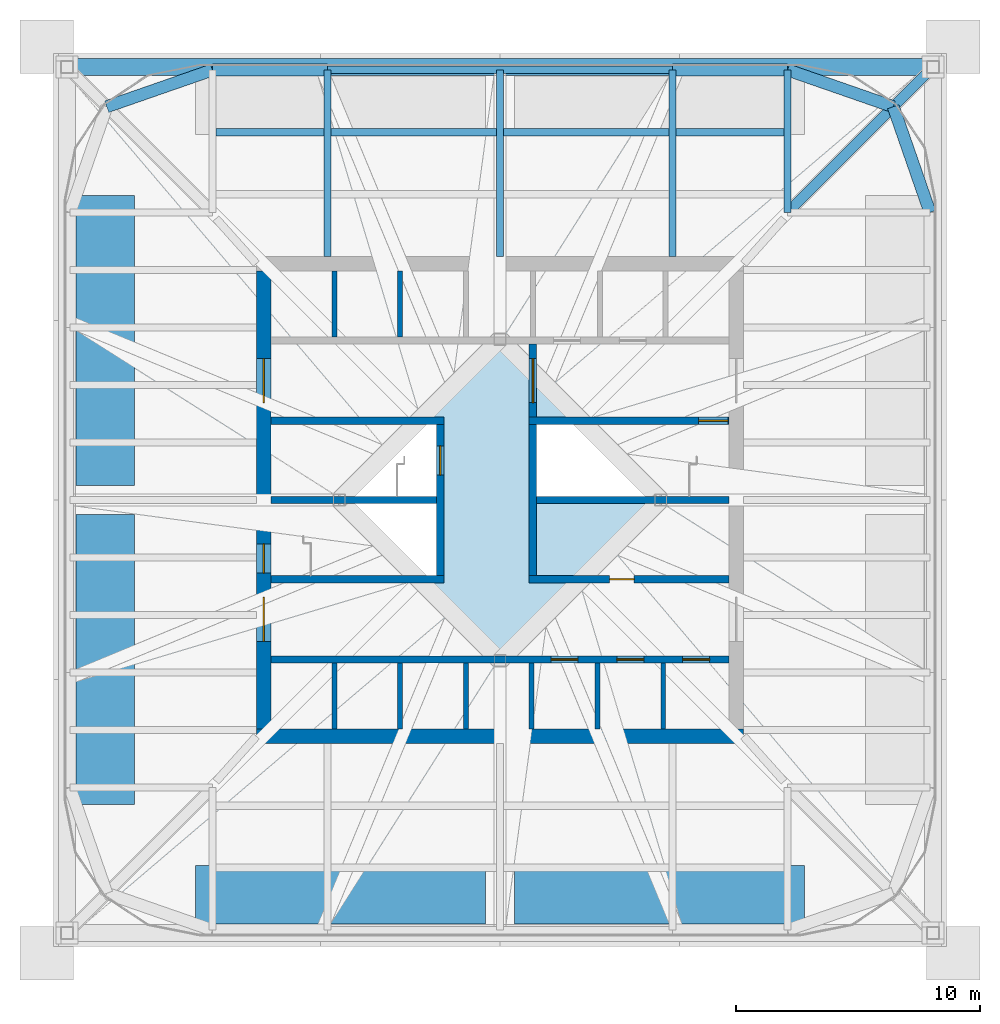
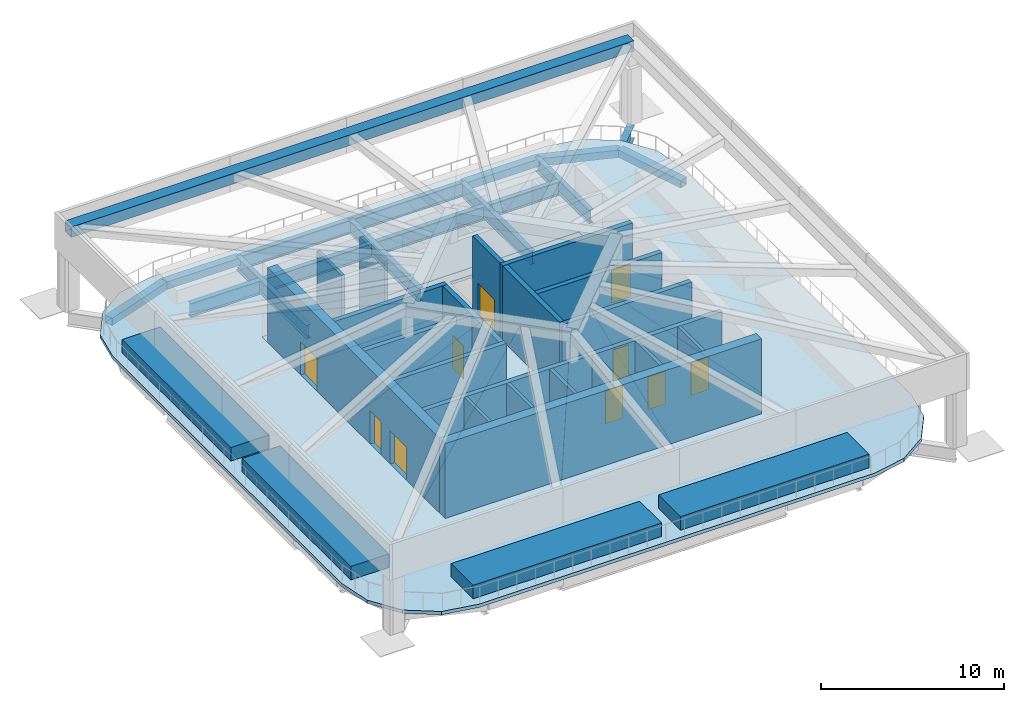
# One storey, part 2 of 7: 23 walls, 15 beams, 10 doors, 2 slabs, 1 member, 10 openings.
"""IFC4 building model written with IfcOpenShell, lengths in metres."""

import ifcopenshell
import ifcopenshell.guid

model = None  # the IFC model being written
_history = None  # IfcOwnerHistory: only IFC2X3 demands one
_inside = {}  # id of a spatial element -> (the spatial element, [elements in it])
_under = {}  # id of a project, library or spatial element -> (it, [spatial elements below it])
_declared = {}  # id of a project -> (the project, [libraries it declares])
_typed = {}  # id of a type object -> (the type object, [elements of that type])
_made_of = {}  # id of a material, layer set ... -> (it, [elements and type objects made of it])


def new_model(schema):
    """Start an empty IFC model of exactly this schema.

    Asked for "IFC4X3", IfcOpenShell would pick the latest addendum, in which some entities
    have other attributes; the version numbers below select the first issue.
    IFC2X3 requires an IfcOwnerHistory on every rooted entity: one is made here for all.
    """
    global model, _history
    if schema == "IFC4X3":
        model = ifcopenshell.file(schema_version=(4, 3, 0, 0))
    else:
        model = ifcopenshell.file(schema=schema)
    _inside.clear()
    _under.clear()
    _declared.clear()
    _typed.clear()
    _made_of.clear()
    _history = None
    if model.schema == "IFC2X3":
        org = make("IfcOrganization", Name="unknown")
        user = make(
            "IfcPersonAndOrganization",
            ThePerson=make("IfcPerson", FamilyName="unknown"),
            TheOrganization=org,
        )
        app = make(
            "IfcApplication",
            ApplicationDeveloper=org,
            Version="unknown",
            ApplicationFullName="unknown",
            ApplicationIdentifier="unknown",
        )
        _history = make(
            "IfcOwnerHistory",
            OwningUser=user,
            OwningApplication=app,
            ChangeAction="ADDED",
            CreationDate=0,
        )
    return model


def make(cls, **values):
    """One entity of the class cls with the attributes given. An attribute that is None is left unset."""
    return model.create_entity(
        cls, **{name: value for name, value in values.items() if value is not None}
    )


def rooted(cls, **values):
    """An entity with a GlobalId (a new one), such as an element, a storey or a relation."""
    return make(cls, GlobalId=ifcopenshell.guid.new(), OwnerHistory=_history, **values)


def si_unit(unit_type, name, prefix=None):
    """IfcSIUnit, for example si_unit("LENGTHUNIT", "METRE", prefix="MILLI")."""
    return make("IfcSIUnit", UnitType=unit_type, Prefix=prefix, Name=name)


def assignment(units):
    """IfcUnitAssignment: the units of a project."""
    return None if units is None else make("IfcUnitAssignment", Units=units)


def point(xyz):
    """IfcCartesianPoint."""
    return None if xyz is None else make("IfcCartesianPoint", Coordinates=xyz)


def direction(xyz):
    """IfcDirection."""
    return None if xyz is None else make("IfcDirection", DirectionRatios=xyz)


def frame(location, z_axis=None, x_axis=None):
    """IfcAxis2Placement3D, a coordinate frame: its origin and axes. An axis left out is left unset."""
    return make(
        "IfcAxis2Placement3D",
        Location=point(location),
        Axis=direction(z_axis),
        RefDirection=direction(x_axis),
    )


def frame_2d(location, x_axis=None):
    """IfcAxis2Placement2D, a coordinate frame in the plane: its origin and x axis."""
    return make(
        "IfcAxis2Placement2D", Location=point(location), RefDirection=direction(x_axis)
    )


def origin():
    """The frame at (0, 0, 0) with its axes left unset."""
    return frame((0.0, 0.0, 0.0))


def origin_2d():
    """The frame at (0, 0) in the plane with its x axis left unset."""
    return frame_2d((0.0, 0.0))


def place(relative_to, where):
    """IfcLocalPlacement: puts the frame where relative to a parent placement (None: the world)."""
    return make(
        "IfcLocalPlacement", PlacementRelTo=relative_to, RelativePlacement=where
    )


def context(
    kind, dimensions, precision=None, world=None, true_north=None, identifier=None
):
    """IfcGeometricRepresentationContext, for example the 3D "Model" context."""
    return make(
        "IfcGeometricRepresentationContext",
        ContextIdentifier=identifier,
        ContextType=kind,
        CoordinateSpaceDimension=dimensions,
        Precision=precision,
        WorldCoordinateSystem=world,
        TrueNorth=true_north,
    )


def subcontext(parent, identifier, kind, view, scale=None):
    """IfcGeometricRepresentationSubContext, for example "Body" below "Model"."""
    return make(
        "IfcGeometricRepresentationSubContext",
        ContextIdentifier=identifier,
        ContextType=kind,
        ParentContext=parent,
        TargetScale=scale,
        TargetView=view,
    )


def project(units=None, contexts=None):
    """IfcProject with its units and contexts."""
    return rooted(
        "IfcProject",
        Name="project",
        RepresentationContexts=contexts,
        UnitsInContext=assignment(units),
    )


def spatial(cls, under=None, at=None, **own):
    """A site, building, storey or space (cls), placed at a placement, below another one or the project."""
    s = rooted(cls, ObjectPlacement=at, **own)
    if under is not None:
        _under.setdefault(under.id(), (under, []))[1].append(s)
    return s


def polyline(points):
    """IfcPolyline through the points."""
    return make("IfcPolyline", Points=[point(p) for p in points])


def profile(cls, at=None, kind="AREA", **sizes):
    """A parametric profile (cls). Its sizes go by their IFC names, for example OverallWidth=200.0."""
    return make(cls, ProfileType=kind, Position=at, **sizes)


def rectangle(**sizes):
    """IfcRectangleProfileDef."""
    return profile("IfcRectangleProfileDef", **sizes)


def hollow_rectangle(**sizes):
    """IfcRectangleHollowProfileDef."""
    return profile("IfcRectangleHollowProfileDef", **sizes)


def i_section(**sizes):
    """IfcIShapeProfileDef."""
    return profile("IfcIShapeProfileDef", **sizes)


def outline(outer, holes=None, kind="AREA"):
    """IfcArbitraryClosedProfileDef: a profile drawn as a closed curve; with holes, ...WithVoids."""
    if holes is None:
        return make("IfcArbitraryClosedProfileDef", ProfileType=kind, OuterCurve=outer)
    return make(
        "IfcArbitraryProfileDefWithVoids",
        ProfileType=kind,
        OuterCurve=outer,
        InnerCurves=holes,
    )


def extrude(swept, where, along, depth):
    """IfcExtrudedAreaSolid: the profile swept, set in the frame where, extruded along a direction by depth."""
    return make(
        "IfcExtrudedAreaSolid",
        SweptArea=swept,
        Position=where,
        ExtrudedDirection=direction(along),
        Depth=depth,
    )


def shape(context_of_items, identifier, shape_type, items):
    """IfcShapeRepresentation: the items that make up one representation, for example the "Body"."""
    return make(
        "IfcShapeRepresentation",
        ContextOfItems=context_of_items,
        RepresentationIdentifier=identifier,
        RepresentationType=shape_type,
        Items=items,
    )


def material(Name=None, Category=None):
    """IfcMaterial."""
    return make("IfcMaterial", Name=Name, Category=Category)


def layer(
    of_material, thickness, ventilated=None, Name=None, Category=None, Priority=None
):
    """IfcMaterialLayer: one layer of a wall or slab, of a material (None: an air gap)."""
    return make(
        "IfcMaterialLayer",
        Material=of_material,
        LayerThickness=thickness,
        IsVentilated=ventilated,
        Name=Name,
        Category=Category,
        Priority=Priority,
    )


def layer_set(layers, Name=None):
    """IfcMaterialLayerSet."""
    return make("IfcMaterialLayerSet", MaterialLayers=layers, LayerSetName=Name)


def material_profile(
    of_material, cross_section, Name=None, Category=None, Priority=None
):
    """IfcMaterialProfile: a cross section and its material."""
    return make(
        "IfcMaterialProfile",
        Name=Name,
        Material=of_material,
        Profile=cross_section,
        Priority=Priority,
        Category=Category,
    )


def profile_set(profiles, Name=None, composite=None):
    """IfcMaterialProfileSet."""
    return make(
        "IfcMaterialProfileSet",
        Name=Name,
        MaterialProfiles=profiles,
        CompositeProfile=composite,
    )


def made_of(thing, what):
    """Note that an element or type object is made of a material, layer set ...; save() writes the relation."""
    if what is not None:
        _made_of.setdefault(what.id(), (what, []))[1].append(thing)
    return thing


def type_object(cls, material=None, **own):
    """A type object (cls), such as IfcWallType, which elements share."""
    return made_of(rooted(cls, **own), material)


def element(
    cls,
    number,
    at=None,
    inside=None,
    cuts=None,
    type_object=None,
    material=None,
    context=None,
    identifier="Body",
    shape_type=None,
    held_by="IfcProductDefinitionShape",
    body=None,
    shapes=None,
    **own,
):
    """One element of the class cls, such as IfcWall. Its Tag is "e" and its number.

    at: its placement. inside: the storey or other place that contains it. cuts: it is an
    opening in that element (IfcRelVoidsElement). A single representation is given by context,
    identifier, shape_type and body (its items); several are given by shapes. held_by: the class
    of the entity that holds the representations. save() writes the other relations.
    """
    e = rooted(cls, Tag="e%d" % number, ObjectPlacement=at, **own)
    if body is not None:
        shapes = [shape(context, identifier, shape_type, body)]
    if shapes is not None:
        e.Representation = make(held_by, Representations=shapes)
    if inside is not None:
        _inside.setdefault(inside.id(), (inside, []))[1].append(e)
    if cuts is not None:
        rooted(
            "IfcRelVoidsElement", RelatingBuildingElement=cuts, RelatedOpeningElement=e
        )
    if type_object is not None:
        _typed.setdefault(type_object.id(), (type_object, []))[1].append(e)
    return made_of(e, material)


def fill(opening, filler):
    """IfcRelFillsElement: the door or window that sits in an opening."""
    return rooted(
        "IfcRelFillsElement",
        RelatingOpeningElement=opening,
        RelatedBuildingElement=filler,
    )


def aggregate(whole, parts):
    """IfcRelAggregates: a whole, such as a stair, and the parts it consists of."""
    return rooted("IfcRelAggregates", RelatingObject=whole, RelatedObjects=parts)


def save(model, path):
    """Write the relations noted so far, then the file.

    IfcRelAggregates (storeys below a building ...), IfcRelContainedInSpatialStructure (elements
    in a storey), IfcRelDefinesByType, IfcRelAssociatesMaterial and IfcRelDeclares: one each for
    every whole, place, type object, material and project.
    """
    for whole, parts in _under.values():
        aggregate(whole, parts)
    for where, things in _inside.values():
        rooted(
            "IfcRelContainedInSpatialStructure",
            RelatedElements=things,
            RelatingStructure=where,
        )
    for kind, things in _typed.values():
        rooted("IfcRelDefinesByType", RelatedObjects=things, RelatingType=kind)
    for what, things in _made_of.values():
        rooted("IfcRelAssociatesMaterial", RelatedObjects=things, RelatingMaterial=what)
    for by, libraries in _declared.values():
        rooted("IfcRelDeclares", RelatingContext=by, RelatedDefinitions=libraries)
    model.write(path)


model = new_model("IFC4")

# Units and contexts
model_context = context("Model", 3, precision=1e-05, world=origin(), true_north=direction((0.0, 1.0)))
body_context = subcontext(model_context, "Body", "Model", "MODEL_VIEW")
ifc_project = project(units=[si_unit("LENGTHUNIT", "METRE"), si_unit("AREAUNIT", "SQUARE_METRE"), si_unit("VOLUMEUNIT", "CUBIC_METRE"), si_unit("PLANEANGLEUNIT", "RADIAN"), si_unit("MASSUNIT", "GRAM", prefix="KILO")], contexts=[model_context])

# Site, building, storey
site_placement = place(None, origin())
site = spatial("IfcSite", under=ifc_project, at=site_placement, CompositionType="ELEMENT")
building_placement = place(site_placement, origin())
building = spatial("IfcBuilding", under=site, at=building_placement, Name="Turquesa Mirador Hotel Tower", CompositionType="ELEMENT")
storey_placement = place(building_placement, frame((0.0, 0.0, 272.199951171875)))
storey = spatial("IfcBuildingStorey", under=building, at=storey_placement, Name="RF", CompositionType="ELEMENT", Elevation=272.199951171875)

# Beams
ifc_material_1 = material(Name="Steel ASTM A572 Grade 50", Category="steel")
ifc_material_profile_1 = material_profile(ifc_material_1, hollow_rectangle(XDim=0.5, YDim=0.5, WallThickness=0.01611328125, at=origin_2d()), Name="BOX500X500X16")
ifc_profile_set_1 = profile_set([ifc_material_profile_1], Name="Steel ASTM A572 Grade 50")
beam_type_1 = type_object("IfcBeamType", Name="BEAM BOX500X500X16", PredefinedType="BEAM", material=ifc_profile_set_1)
for number, where, z_axis, x_axis, name in (
    (1, (43.199951171875, 62.64990234375, -0.469970703125), (1.0, 0.0, 0.0), (0.0, 1.0, 0.0), "EB-RF-N-L"),
    (2, (62.080078125, 62.64990234375, -0.469970703125), (1.0, 0.0, 0.0), (0.0, 1.0, 0.0), "EB-RF-N-R"),
):
    element("IfcBeam", number, at=place(storey_placement, frame(where, z_axis=z_axis, x_axis=x_axis)), inside=storey, type_object=beam_type_1, Name=name, PredefinedType="BEAM", context=body_context, shape_type="SweptSolid", body=[
        extrude(hollow_rectangle(XDim=0.5, YDim=0.5, WallThickness=0.01611328125, at=origin_2d()), origin(), (0.0, 0.0, 1.0), 4.719970703125),
    ])
for number, where, z_axis, x_axis, name in (
    (3, (72.64990234375, 56.800048828125, -0.469970703125), (-0.328170356092, 0.944618556552, 0.0), (-0.944618556552, -0.328170356092, 0.0), "KE-RF-1-0"),
    (4, (71.1416015625, 61.1416015625, -0.469970703125), (-0.944618556552, 0.328170356092, 0.0), (-0.328170356092, -0.944618556552, 0.0), "KE-RF-1-1"),
    (5, (38.8583984375, 61.1416015625, -0.469970703125), (0.944618556552, 0.328170356092, 0.0), (-0.328170356092, 0.944618556552, 0.0), "KE-RF-2-1"),
):
    element("IfcBeam", number, at=place(storey_placement, frame(where, z_axis=z_axis, x_axis=x_axis)), inside=storey, type_object=beam_type_1, Name=name, PredefinedType="BEAM", context=body_context, shape_type="SweptSolid", body=[
        extrude(hollow_rectangle(XDim=0.5, YDim=0.5, WallThickness=0.01611328125, at=origin_2d()), origin(), (0.0, 0.0, 1.0), 4.59619140625),
    ])
ifc_material_2 = material(Name="Steel ASTM A992 Grade 50", Category="steel")
ifc_material_profile_2 = material_profile(ifc_material_2, i_section(OverallWidth=0.3046875, OverallDepth=0.911865234375, WebThickness=0.015869140625, FlangeThickness=0.02392578125, at=origin_2d()), Name="W36X150")
ifc_profile_set_2 = profile_set([ifc_material_profile_2], Name="Steel ASTM A992 Grade 50")
beam_type_2 = type_object("IfcBeamType", Name="BEAM W36X150", PredefinedType="BEAM", material=ifc_profile_set_2)
for number, where, z_axis, x_axis, name in (
    (6, (47.919921875, 62.64990234375, -0.67578125), (0.0, -1.0, 0.0), (1.0, 0.0, 0.0), "GD-RF-N--7.08"),
    (7, (62.080078125, 62.64990234375, -0.67578125), (0.0, -1.0, 0.0), (1.0, 0.0, 0.0), "GD-RF-N-+7.08"),
    (8, (55.0, 62.64990234375, -0.67578125), (0.0, -1.0, 0.0), (1.0, 0.0, 0.0), "GD-RF-N-+0.00"),
):
    element("IfcBeam", number, at=place(storey_placement, frame(where, z_axis=z_axis, x_axis=x_axis)), inside=storey, type_object=beam_type_2, Name=name, PredefinedType="BEAM", context=body_context, shape_type="SweptSolid", body=[
        extrude(i_section(OverallWidth=0.3046875, OverallDepth=0.911865234375, WebThickness=0.015869140625, FlangeThickness=0.02392578125, at=origin_2d()), origin(), (0.0, 0.0, 1.0), 7.64990234375),
    ])
beam_1_placement = place(storey_placement, frame((43.352294921875, 60.10009765625, -0.67578125), z_axis=(1.0, 0.0, 0.0), x_axis=(0.0, 1.0, 0.0)))
element("IfcBeam", 9, at=beam_1_placement, inside=storey, type_object=beam_type_2, Name="IB-RF-N-2-0", PredefinedType="BEAM", context=body_context, shape_type="SweptSolid", body=[
    extrude(i_section(OverallWidth=0.3046875, OverallDepth=0.911865234375, WebThickness=0.015869140625, FlangeThickness=0.02392578125, at=origin_2d()), origin(), (0.0, 0.0, 1.0), 4.415283203125),
])
for number, where, z_axis, x_axis, name in (
    (10, (48.072509765625, 60.10009765625, -0.67578125), (1.0, 0.0, 0.0), (0.0, 1.0, 0.0), "IB-RF-N-2-1"),
    (11, (55.15234375, 60.10009765625, -0.67578125), (1.0, 0.0, 0.0), (0.0, 1.0, 0.0), "IB-RF-N-2-2"),
):
    element("IfcBeam", number, at=place(storey_placement, frame(where, z_axis=z_axis, x_axis=x_axis)), inside=storey, type_object=beam_type_2, Name=name, PredefinedType="BEAM", context=body_context, shape_type="SweptSolid", body=[
        extrude(i_section(OverallWidth=0.3046875, OverallDepth=0.911865234375, WebThickness=0.015869140625, FlangeThickness=0.02392578125, at=origin_2d()), origin(), (0.0, 0.0, 1.0), 6.775146484375),
    ])
beam_2_placement = place(storey_placement, frame((62.232421875, 60.10009765625, -0.67578125), z_axis=(1.0, 0.0, 0.0), x_axis=(0.0, 1.0, 0.0)))
element("IfcBeam", 12, at=beam_2_placement, inside=storey, type_object=beam_type_2, Name="IB-RF-N-2-3", PredefinedType="BEAM", context=body_context, shape_type="SweptSolid", body=[
    extrude(i_section(OverallWidth=0.3046875, OverallDepth=0.911865234375, WebThickness=0.015869140625, FlangeThickness=0.02392578125, at=origin_2d()), origin(), (0.0, 0.0, 1.0), 4.415283203125),
])
beam_3_placement = place(storey_placement, frame((66.800048828125, 62.64990234375, -0.67578125), z_axis=(0.0, -1.0, 0.0), x_axis=(1.0, 0.0, 0.0)))
element("IfcBeam", 13, at=beam_3_placement, inside=storey, type_object=beam_type_2, Name="GK-RF-N-+11.80", PredefinedType="BEAM", context=body_context, shape_type="SweptSolid", body=[
    extrude(i_section(OverallWidth=0.3046875, OverallDepth=0.911865234375, WebThickness=0.015869140625, FlangeThickness=0.02392578125, at=origin_2d()), origin(), (0.0, 0.0, 1.0), 5.849853515625),
])
beam_4_placement = place(storey_placement, frame((47.919921875, 62.64990234375, -0.67578125), z_axis=(1.0, 0.0, 0.0), x_axis=(0.0, 1.0, 0.0)))
element("IfcBeam", 14, at=beam_4_placement, inside=storey, type_object=beam_type_2, Name="EB-RF-N-C", PredefinedType="BEAM", context=body_context, shape_type="SweptSolid", body=[
    extrude(i_section(OverallWidth=0.3046875, OverallDepth=0.911865234375, WebThickness=0.015869140625, FlangeThickness=0.02392578125, at=origin_2d()), origin(), (0.0, 0.0, 1.0), 14.16015625),
])
ifc_material_3 = material(Name="Steel ASTM A992 Grade 50", Category="steel")
ifc_material_profile_3 = material_profile(ifc_material_3, i_section(OverallWidth=0.419189453125, OverallDepth=0.927001953125, WebThickness=0.019287109375, FlangeThickness=0.031982421875, at=origin_2d()), Name="W36X231")
ifc_profile_set_3 = profile_set([ifc_material_profile_3], Name="Steel ASTM A992 Grade 50")
beam_type_3 = type_object("IfcBeamType", Name="BEAM W36X231", PredefinedType="BEAM", material=ifc_profile_set_3)
beam_5_placement = place(storey_placement, frame((66.800048828125, 56.800048828125, -0.68359375), z_axis=(0.707106781187, 0.707106781187, 0.0), x_axis=(-0.707106781187, 0.707106781187, 0.0)))
element("IfcBeam", 15, at=beam_5_placement, inside=storey, type_object=beam_type_3, Name="KD-RF-1", PredefinedType="BEAM", context=body_context, shape_type="SweptSolid", body=[
    extrude(i_section(OverallWidth=0.419189453125, OverallDepth=0.927001953125, WebThickness=0.019287109375, FlangeThickness=0.031982421875, at=origin_2d()), origin(), (0.0, 0.0, 1.0), 8.46240234375),
])

# Member
ifc_material_4 = material(Name="Steel ASTM A572 Grade 50", Category="steel")
ifc_material_profile_4 = material_profile(ifc_material_4, hollow_rectangle(XDim=0.699951171875, YDim=0.699951171875, WallThickness=0.06005859375, at=origin_2d()), Name="BOX700X700X60")
ifc_profile_set_4 = profile_set([ifc_material_profile_4], Name="Steel ASTM A572 Grade 50")
member_type = type_object("IfcMemberType", Name="CANOPY EDGE GIRDER BOX700X700X60", PredefinedType="MEMBER", material=ifc_profile_set_4)
member_placement = place(storey_placement, frame((72.77001953125, 62.77001953125, 5.199951171875), z_axis=(-1.0, 0.0, 0.0), x_axis=(0.0, -1.0, 0.0)))
element("IfcMember", 16, at=member_placement, inside=storey, type_object=member_type, Name="Canopy edge rib", PredefinedType="MEMBER", context=body_context, shape_type="SweptSolid", body=[
    extrude(hollow_rectangle(XDim=0.699951171875, YDim=0.699951171875, WallThickness=0.06005859375, at=origin_2d()), origin(), (0.0, 0.0, 1.0), 35.5400390625),
])

# Slabs
ifc_material_5 = material(Name="Concrete C35/45", Category="concrete")
ifc_layer_1 = layer(ifc_material_5, 0.219970703125)
ifc_layer_set_1 = layer_set([ifc_layer_1], Name="HEAD-HOUSE FLOOR SLAB 220")
slab_type_1 = type_object("IfcSlabType", Name="HEAD-HOUSE FLOOR SLAB 220", PredefinedType="FLOOR", material=ifc_layer_set_1)
slab_1_placement = place(storey_placement, frame((0.0, 0.0, -0.219970703125)))
element("IfcSlab", 17, at=slab_1_placement, inside=storey, type_object=slab_type_1, Name="Head-house floor", PredefinedType="FLOOR", context=body_context, shape_type="SweptSolid", body=[
    extrude(outline(polyline([(45.0, 35.0), (65.0, 35.0), (65.0, 55.0), (45.0, 55.0), (45.0, 35.0)]), holes=[polyline([(56.5, 51.699951171875), (59.0, 51.699951171875), (59.0, 54.39990234375), (56.5, 54.39990234375), (56.5, 51.699951171875)]), polyline([(59.199951171875, 51.699951171875), (61.699951171875, 51.699951171875), (61.699951171875, 54.39990234375), (59.199951171875, 54.39990234375), (59.199951171875, 51.699951171875)]), polyline([(56.39990234375, 35.60009765625), (58.89990234375, 35.60009765625), (58.89990234375, 38.300048828125), (56.39990234375, 38.300048828125), (56.39990234375, 35.60009765625)]), polyline([(59.10009765625, 35.60009765625), (61.60009765625, 35.60009765625), (61.60009765625, 38.300048828125), (59.10009765625, 38.300048828125), (59.10009765625, 35.60009765625)]), polyline([(61.800048828125, 35.60009765625), (64.300048828125, 35.60009765625), (64.300048828125, 38.300048828125), (61.800048828125, 38.300048828125), (61.800048828125, 35.60009765625)]), polyline([(45.60009765625, 45.14990234375), (52.39990234375, 45.14990234375), (52.39990234375, 48.10009765625), (45.60009765625, 48.10009765625), (45.60009765625, 45.14990234375)]), polyline([(45.60009765625, 41.89990234375), (52.39990234375, 41.89990234375), (52.39990234375, 44.85009765625), (45.60009765625, 44.85009765625), (45.60009765625, 41.89990234375)]), polyline([(56.5, 45.14990234375), (64.39990234375, 45.14990234375), (64.39990234375, 48.10009765625), (56.5, 48.10009765625), (56.5, 45.14990234375)]), polyline([(61.89990234375, 51.699951171875), (64.39990234375, 51.699951171875), (64.39990234375, 54.39990234375), (61.89990234375, 54.39990234375), (61.89990234375, 51.699951171875)])]), origin(), (0.0, 0.0, 1.0), 0.219970703125),
])
ifc_material_6 = material(Name="Concrete C35/45 with stone paving", Category="masonry")
ifc_layer_2 = layer(ifc_material_6, 0.219970703125)
ifc_layer_set_2 = layer_set([ifc_layer_2], Name="TERRACE SLAB 220")
slab_type_2 = type_object("IfcSlabType", Name="TERRACE SLAB 220", PredefinedType="ROOF", material=ifc_layer_set_2)
slab_2_placement = place(storey_placement, frame((0.0, 0.0, -0.219970703125)))
element("IfcSlab", 18, at=slab_2_placement, inside=storey, type_object=slab_type_2, Name="Sky garden terrace", PredefinedType="ROOF", context=body_context, shape_type="SweptSolid", body=[
    extrude(outline(polyline([(42.5, 27.0), (40.395263671875, 27.418701171875), (38.61083984375, 28.61083984375), (37.418701171875, 30.395263671875), (37.0, 32.5), (37.0, 57.5), (37.418701171875, 59.604736328125), (38.61083984375, 61.38916015625), (40.395263671875, 62.581298828125), (42.5, 63.0), (67.5, 63.0), (69.604736328125, 62.581298828125), (71.38916015625, 61.38916015625), (72.581298828125, 59.604736328125), (73.0, 57.5), (73.0, 32.5), (72.581298828125, 30.395263671875), (71.38916015625, 28.61083984375), (69.604736328125, 27.418701171875), (67.5, 27.0), (42.5, 27.0)]), holes=[polyline([(65.0, 55.0), (45.0, 55.0), (45.0, 35.0), (65.0, 35.0), (65.0, 55.0)])]), origin(), (0.0, 0.0, 1.0), 0.219970703125),
])

# Wall, openings, doors
ifc_material_7 = material(Name="Concrete C50/60", Category="concrete")
ifc_layer_3 = layer(ifc_material_7, 0.300048828125)
ifc_layer_set_3 = layer_set([ifc_layer_3], Name="CORE INNER WALL 300")
wall_type_1 = type_object("IfcWallType", Name="CORE INNER WALL 300", PredefinedType="SHEAR", material=ifc_layer_set_3)
wall_1_placement = place(storey_placement, frame((45.60009765625, 38.449951171875, 0.0), z_axis=(0.0, 0.0, 1.0), x_axis=(1.0, 0.0, 0.0)))
wall_1 = element("IfcWall", 19, at=wall_1_placement, inside=storey, type_object=wall_type_1, Name="Core wall SL", PredefinedType="SHEAR", context=body_context, shape_type="SweptSolid", body=[
    extrude(rectangle(XDim=18.7998046875, YDim=0.300048828125, at=frame_2d((9.39990234375, 0.0))), origin(), (0.0, 0.0, 1.0), 5.0),
])
opening_1_placement = place(wall_1_placement, frame((11.5, 0.0, 0.0)))
opening_1 = element("IfcOpeningElement", 20, at=opening_1_placement, cuts=wall_1, Name="Opening LD", PredefinedType="OPENING", context=body_context, shape_type="SweptSolid", body=[
    extrude(rectangle(XDim=1.10009765625, YDim=2.199951171875, at=frame_2d((0.550048828125, 1.10009765625))), frame((0.0, 0.159912109375, 0.0), z_axis=(0.0, -1.0, 0.0), x_axis=(1.0, 0.0, 0.0)), (0.0, 0.0, 1.0), 0.320068359375),
])
opening_2_placement = place(wall_1_placement, frame((14.199951171875, 0.0, 0.0)))
opening_2 = element("IfcOpeningElement", 21, at=opening_2_placement, cuts=wall_1, Name="Opening LD", PredefinedType="OPENING", context=body_context, shape_type="SweptSolid", body=[
    extrude(rectangle(XDim=1.10009765625, YDim=2.199951171875, at=frame_2d((0.550048828125, 1.10009765625))), frame((0.0, 0.159912109375, 0.0), z_axis=(0.0, -1.0, 0.0), x_axis=(1.0, 0.0, 0.0)), (0.0, 0.0, 1.0), 0.320068359375),
])
opening_3_placement = place(wall_1_placement, frame((16.89990234375, 0.0, 0.0)))
opening_3 = element("IfcOpeningElement", 22, at=opening_3_placement, cuts=wall_1, Name="Opening LD", PredefinedType="OPENING", context=body_context, shape_type="SweptSolid", body=[
    extrude(rectangle(XDim=1.10009765625, YDim=2.199951171875, at=frame_2d((0.550048828125, 1.10009765625))), frame((0.0, 0.159912109375, 0.0), z_axis=(0.0, -1.0, 0.0), x_axis=(1.0, 0.0, 0.0)), (0.0, 0.0, 1.0), 0.320068359375),
])
ifc_material_8 = material(Name="Stainless steel lift landing door", Category="steel")
door_type_1 = type_object("IfcDoorType", Name="LIFT LANDING DOOR 1100X2200", OperationType="SLIDING_TO_LEFT", PredefinedType="DOOR", material=ifc_material_8)
door_1_placement = place(opening_1_placement, origin())
door_1 = element("IfcDoor", 23, at=door_1_placement, inside=storey, type_object=door_type_1, Name="Lift X1 landing door", OperationType="SLIDING_TO_LEFT", OverallHeight=2.199951171875, OverallWidth=1.10009765625, PredefinedType="DOOR", context=body_context, shape_type="SweptSolid", body=[
    extrude(rectangle(XDim=1.10009765625, YDim=2.199951171875, at=frame_2d((0.550048828125, 1.10009765625))), frame((0.0, 0.02490234375, 0.0), z_axis=(0.0, -1.0, 0.0), x_axis=(1.0, 0.0, 0.0)), (0.0, 0.0, 1.0), 0.050048828125),
])
fill(opening_1, door_1)
door_2_placement = place(opening_2_placement, origin())
door_2 = element("IfcDoor", 24, at=door_2_placement, inside=storey, type_object=door_type_1, Name="Lift X2 landing door", OperationType="SLIDING_TO_LEFT", OverallHeight=2.199951171875, OverallWidth=1.10009765625, PredefinedType="DOOR", context=body_context, shape_type="SweptSolid", body=[
    extrude(rectangle(XDim=1.10009765625, YDim=2.199951171875, at=frame_2d((0.550048828125, 1.10009765625))), frame((0.0, 0.02490234375, 0.0), z_axis=(0.0, -1.0, 0.0), x_axis=(1.0, 0.0, 0.0)), (0.0, 0.0, 1.0), 0.050048828125),
])
fill(opening_2, door_2)
door_3_placement = place(opening_3_placement, origin())
door_3 = element("IfcDoor", 25, at=door_3_placement, inside=storey, type_object=door_type_1, Name="Lift X3 landing door", OperationType="SLIDING_TO_LEFT", OverallHeight=2.199951171875, OverallWidth=1.10009765625, PredefinedType="DOOR", context=body_context, shape_type="SweptSolid", body=[
    extrude(rectangle(XDim=1.10009765625, YDim=2.199951171875, at=frame_2d((0.550048828125, 1.10009765625))), frame((0.0, 0.02490234375, 0.0), z_axis=(0.0, -1.0, 0.0), x_axis=(1.0, 0.0, 0.0)), (0.0, 0.0, 1.0), 0.050048828125),
])
fill(opening_3, door_3)

# Wall
wall_2_placement = place(storey_placement, frame((45.60009765625, 48.25, 0.0), z_axis=(0.0, 0.0, 1.0), x_axis=(1.0, 0.0, 0.0)))
element("IfcWall", 26, at=wall_2_placement, inside=storey, type_object=wall_type_1, Name="Core wall MN-W", PredefinedType="SHEAR", context=body_context, shape_type="SweptSolid", body=[
    extrude(rectangle(XDim=7.099853515625, YDim=0.300048828125, at=frame_2d((3.5498046875, 0.0))), origin(), (0.0, 0.0, 1.0), 5.0),
])

# Wall, opening, door
wall_3_placement = place(storey_placement, frame((56.199951171875, 48.25, 0.0), z_axis=(0.0, 0.0, 1.0), x_axis=(1.0, 0.0, 0.0)))
wall_3 = element("IfcWall", 27, at=wall_3_placement, inside=storey, type_object=wall_type_1, Name="Core wall MN-E", PredefinedType="SHEAR", context=body_context, shape_type="SweptSolid", body=[
    extrude(rectangle(XDim=8.199951171875, YDim=0.300048828125, at=frame_2d((4.10009765625, 0.0))), origin(), (0.0, 0.0, 1.0), 5.0),
])
opening_4_placement = place(wall_3_placement, frame((6.949951171875, 0.0, 0.0)))
opening_4 = element("IfcOpeningElement", 28, at=opening_4_placement, cuts=wall_3, Name="Opening D03", PredefinedType="OPENING", context=body_context, shape_type="SweptSolid", body=[
    extrude(rectangle(XDim=1.199951171875, YDim=2.199951171875, at=frame_2d((0.60009765625, 1.10009765625))), frame((0.0, 0.159912109375, 0.0), z_axis=(0.0, -1.0, 0.0), x_axis=(1.0, 0.0, 0.0)), (0.0, 0.0, 1.0), 0.320068359375),
])
ifc_material_9 = material(Name="Steel fire door", Category="steel")
door_type_2 = type_object("IfcDoorType", Name="DOOR 1200X2200 STAIR", OperationType="SINGLE_SWING_LEFT", PredefinedType="DOOR", material=ifc_material_9)
door_4_placement = place(opening_4_placement, origin())
door_4 = element("IfcDoor", 29, at=door_4_placement, inside=storey, type_object=door_type_2, Name="Stair ST3 door", OperationType="SINGLE_SWING_LEFT", OverallHeight=2.199951171875, OverallWidth=1.199951171875, PredefinedType="DOOR", context=body_context, shape_type="SweptSolid", body=[
    extrude(rectangle(XDim=1.199951171875, YDim=2.199951171875, at=frame_2d((0.60009765625, 1.10009765625))), frame((0.0, 0.02490234375, 0.0), z_axis=(0.0, -1.0, 0.0), x_axis=(1.0, 0.0, 0.0)), (0.0, 0.0, 1.0), 0.050048828125),
])
fill(opening_4, door_4)

# Wall
wall_4_placement = place(storey_placement, frame((45.60009765625, 41.75, 0.0), z_axis=(0.0, 0.0, 1.0), x_axis=(1.0, 0.0, 0.0)))
element("IfcWall", 30, at=wall_4_placement, inside=storey, type_object=wall_type_1, Name="Core wall MS-W", PredefinedType="SHEAR", context=body_context, shape_type="SweptSolid", body=[
    extrude(rectangle(XDim=7.099853515625, YDim=0.300048828125, at=frame_2d((3.5498046875, 0.0))), origin(), (0.0, 0.0, 1.0), 5.0),
])

# Wall, opening, door
wall_5_placement = place(storey_placement, frame((56.199951171875, 41.75, 0.0), z_axis=(0.0, 0.0, 1.0), x_axis=(1.0, 0.0, 0.0)))
wall_5 = element("IfcWall", 31, at=wall_5_placement, inside=storey, type_object=wall_type_1, Name="Core wall MS-E", PredefinedType="SHEAR", context=body_context, shape_type="SweptSolid", body=[
    extrude(rectangle(XDim=8.199951171875, YDim=0.300048828125, at=frame_2d((4.10009765625, 0.0))), origin(), (0.0, 0.0, 1.0), 5.0),
])
opening_5_placement = place(wall_5_placement, frame((3.300048828125, 0.0, 0.0)))
opening_5 = element("IfcOpeningElement", 32, at=opening_5_placement, cuts=wall_5, Name="Opening D05", PredefinedType="OPENING", context=body_context, shape_type="SweptSolid", body=[
    extrude(rectangle(XDim=1.0, YDim=2.10009765625, at=frame_2d((0.5, 1.050048828125))), frame((0.0, 0.159912109375, 0.0), z_axis=(0.0, -1.0, 0.0), x_axis=(1.0, 0.0, 0.0)), (0.0, 0.0, 1.0), 0.320068359375),
])
ifc_material_10 = material(Name="Steel fire door", Category="steel")
door_type_3 = type_object("IfcDoorType", Name="DOOR 1000X2100 SERVICE", OperationType="SINGLE_SWING_LEFT", PredefinedType="DOOR", material=ifc_material_10)
door_5_placement = place(opening_5_placement, origin())
door_5 = element("IfcDoor", 33, at=door_5_placement, inside=storey, type_object=door_type_3, Name="Housekeeping room door", OperationType="SINGLE_SWING_LEFT", OverallHeight=2.10009765625, OverallWidth=1.0, PredefinedType="DOOR", context=body_context, shape_type="SweptSolid", body=[
    extrude(rectangle(XDim=1.0, YDim=2.10009765625, at=frame_2d((0.5, 1.050048828125))), frame((0.0, 0.02490234375, 0.0), z_axis=(0.0, -1.0, 0.0), x_axis=(1.0, 0.0, 0.0)), (0.0, 0.0, 1.0), 0.050048828125),
])
fill(opening_5, door_5)

wall_6_placement = place(storey_placement, frame((52.550048828125, 41.89990234375, 0.0), z_axis=(0.0, 0.0, 1.0), x_axis=(0.0, 1.0, 0.0)))
wall_6 = element("IfcWall", 34, at=wall_6_placement, inside=storey, type_object=wall_type_1, Name="Core wall PW", PredefinedType="SHEAR", context=body_context, shape_type="SweptSolid", body=[
    extrude(rectangle(XDim=6.2001953125, YDim=0.300048828125, at=frame_2d((3.10009765625, 0.0))), origin(), (0.0, 0.0, 1.0), 5.0),
])
opening_6_placement = place(wall_6_placement, frame((4.125, 0.0, 0.0)))
opening_6 = element("IfcOpeningElement", 35, at=opening_6_placement, cuts=wall_6, Name="Opening D03", PredefinedType="OPENING", context=body_context, shape_type="SweptSolid", body=[
    extrude(rectangle(XDim=1.199951171875, YDim=2.199951171875, at=frame_2d((0.60009765625, 1.10009765625))), frame((0.0, 0.159912109375, 0.0), z_axis=(0.0, -1.0, 0.0), x_axis=(1.0, 0.0, 0.0)), (0.0, 0.0, 1.0), 0.320068359375),
])
door_6_placement = place(opening_6_placement, origin())
door_6 = element("IfcDoor", 36, at=door_6_placement, inside=storey, type_object=door_type_2, Name="Stair ST1 door", OperationType="SINGLE_SWING_LEFT", OverallHeight=2.199951171875, OverallWidth=1.199951171875, PredefinedType="DOOR", context=body_context, shape_type="SweptSolid", body=[
    extrude(rectangle(XDim=1.199951171875, YDim=2.199951171875, at=frame_2d((0.60009765625, 1.10009765625))), frame((0.0, 0.02490234375, 0.0), z_axis=(0.0, -1.0, 0.0), x_axis=(1.0, 0.0, 0.0)), (0.0, 0.0, 1.0), 0.050048828125),
])
fill(opening_6, door_6)

wall_7_placement = place(storey_placement, frame((56.35009765625, 41.89990234375, 0.0), z_axis=(0.0, 0.0, 1.0), x_axis=(0.0, 1.0, 0.0)))
wall_7 = element("IfcWall", 37, at=wall_7_placement, inside=storey, type_object=wall_type_1, Name="Core wall PE", PredefinedType="SHEAR", context=body_context, shape_type="SweptSolid", body=[
    extrude(rectangle(XDim=9.5, YDim=0.300048828125, at=frame_2d((4.75, 0.0))), origin(), (0.0, 0.0, 1.0), 5.0),
])
opening_7_placement = place(wall_7_placement, frame((7.10009765625, 0.0, 0.0)))
opening_7 = element("IfcOpeningElement", 38, at=opening_7_placement, cuts=wall_7, Name="Opening D04", PredefinedType="OPENING", context=body_context, shape_type="SweptSolid", body=[
    extrude(rectangle(XDim=1.800048828125, YDim=2.199951171875, at=frame_2d((0.89990234375, 1.10009765625))), frame((0.0, 0.159912109375, 0.0), z_axis=(0.0, -1.0, 0.0), x_axis=(1.0, 0.0, 0.0)), (0.0, 0.0, 1.0), 0.320068359375),
])
ifc_material_11 = material(Name="Steel fire door pair", Category="steel")
door_type_4 = type_object("IfcDoorType", Name="DOOR 1800X2200 PAIR", OperationType="DOUBLE_DOOR_SINGLE_SWING", PredefinedType="DOOR", material=ifc_material_11)
door_7_placement = place(opening_7_placement, origin())
door_7 = element("IfcDoor", 39, at=door_7_placement, inside=storey, type_object=door_type_4, Name="Firefighting lobby inner door", OperationType="DOUBLE_DOOR_SINGLE_SWING", OverallHeight=2.199951171875, OverallWidth=1.800048828125, PredefinedType="DOOR", context=body_context, shape_type="SweptSolid", body=[
    extrude(rectangle(XDim=1.800048828125, YDim=2.199951171875, at=frame_2d((0.89990234375, 1.10009765625))), frame((0.0, 0.02490234375, 0.0), z_axis=(0.0, -1.0, 0.0), x_axis=(1.0, 0.0, 0.0)), (0.0, 0.0, 1.0), 0.050048828125),
])
fill(opening_7, door_7)

# Walls
wall_8_placement = place(storey_placement, frame((45.60009765625, 45.0, 0.0), z_axis=(0.0, 0.0, 1.0), x_axis=(1.0, 0.0, 0.0)))
element("IfcWall", 40, at=wall_8_placement, inside=storey, type_object=wall_type_1, Name="Core wall M0-W", PredefinedType="SHEAR", context=body_context, shape_type="SweptSolid", body=[
    extrude(rectangle(XDim=6.7998046875, YDim=0.300048828125, at=frame_2d((3.39990234375, 0.0))), origin(), (0.0, 0.0, 1.0), 5.0),
])
wall_9_placement = place(storey_placement, frame((56.5, 45.0, 0.0), z_axis=(0.0, 0.0, 1.0), x_axis=(1.0, 0.0, 0.0)))
element("IfcWall", 41, at=wall_9_placement, inside=storey, type_object=wall_type_1, Name="Core wall M0-E", PredefinedType="SHEAR", context=body_context, shape_type="SweptSolid", body=[
    extrude(rectangle(XDim=7.89990234375, YDim=0.300048828125, at=frame_2d((3.949951171875, 0.0))), origin(), (0.0, 0.0, 1.0), 5.0),
])
ifc_material_12 = material(Name="Concrete C50/60", Category="concrete")
ifc_layer_4 = layer(ifc_material_12, 0.60009765625)
ifc_layer_set_4 = layer_set([ifc_layer_4], Name="CORE WALL 600")
wall_type_2 = type_object("IfcWallType", Name="CORE WALL 600", PredefinedType="SHEAR", material=ifc_layer_set_4)
wall_10_placement = place(storey_placement, frame((45.0, 35.300048828125, 0.0), z_axis=(0.0, 0.0, 1.0), x_axis=(1.0, 0.0, 0.0)))
element("IfcWall", 42, at=wall_10_placement, inside=storey, type_object=wall_type_2, Name="Core wall S", PredefinedType="SHEAR", context=body_context, shape_type="SweptSolid", body=[
    extrude(rectangle(XDim=20.0, YDim=0.60009765625, at=frame_2d((10.0, 0.0))), origin(), (0.0, 0.0, 1.0), 5.0),
])

# Wall, openings, doors
wall_11_placement = place(storey_placement, frame((45.300048828125, 35.60009765625, 0.0), z_axis=(0.0, 0.0, 1.0), x_axis=(0.0, 1.0, 0.0)))
wall_11 = element("IfcWall", 43, at=wall_11_placement, inside=storey, type_object=wall_type_2, Name="Core wall W", PredefinedType="SHEAR", context=body_context, shape_type="SweptSolid", body=[
    extrude(rectangle(XDim=18.7998046875, YDim=0.60009765625, at=frame_2d((9.39990234375, 0.0))), origin(), (0.0, 0.0, 1.0), 5.0),
])
opening_8_placement = place(wall_11_placement, frame((13.39990234375, 0.0, 0.0)))
opening_8 = element("IfcOpeningElement", 44, at=opening_8_placement, cuts=wall_11, Name="Opening D04", PredefinedType="OPENING", context=body_context, shape_type="SweptSolid", body=[
    extrude(rectangle(XDim=1.800048828125, YDim=2.199951171875, at=frame_2d((0.89990234375, 1.10009765625))), frame((0.0, 0.31005859375, 0.0), z_axis=(0.0, -1.0, 0.0), x_axis=(1.0, 0.0, 0.0)), (0.0, 0.0, 1.0), 0.6201171875),
])
opening_9_placement = place(wall_11_placement, frame((3.60009765625, 0.0, 0.0)))
opening_9 = element("IfcOpeningElement", 45, at=opening_9_placement, cuts=wall_11, Name="Opening D04", PredefinedType="OPENING", context=body_context, shape_type="SweptSolid", body=[
    extrude(rectangle(XDim=1.800048828125, YDim=2.199951171875, at=frame_2d((0.89990234375, 1.10009765625))), frame((0.0, 0.31005859375, 0.0), z_axis=(0.0, -1.0, 0.0), x_axis=(1.0, 0.0, 0.0)), (0.0, 0.0, 1.0), 0.6201171875),
])
opening_10_placement = place(wall_11_placement, frame((6.39990234375, 0.0, 0.0)))
opening_10 = element("IfcOpeningElement", 46, at=opening_10_placement, cuts=wall_11, Name="Opening D03", PredefinedType="OPENING", context=body_context, shape_type="SweptSolid", body=[
    extrude(rectangle(XDim=1.199951171875, YDim=2.199951171875, at=frame_2d((0.60009765625, 1.10009765625))), frame((0.0, 0.31005859375, 0.0), z_axis=(0.0, -1.0, 0.0), x_axis=(1.0, 0.0, 0.0)), (0.0, 0.0, 1.0), 0.6201171875),
])
door_8_placement = place(opening_10_placement, origin())
door_8 = element("IfcDoor", 47, at=door_8_placement, inside=storey, type_object=door_type_2, Name="Stair ST2 door", OperationType="SINGLE_SWING_LEFT", OverallHeight=2.199951171875, OverallWidth=1.199951171875, PredefinedType="DOOR", context=body_context, shape_type="SweptSolid", body=[
    extrude(rectangle(XDim=1.199951171875, YDim=2.199951171875, at=frame_2d((0.60009765625, 1.10009765625))), frame((0.0, 0.02490234375, 0.0), z_axis=(0.0, -1.0, 0.0), x_axis=(1.0, 0.0, 0.0)), (0.0, 0.0, 1.0), 0.050048828125),
])
fill(opening_10, door_8)
door_9_placement = place(opening_8_placement, origin())
door_9 = element("IfcDoor", 48, at=door_9_placement, inside=storey, type_object=door_type_4, Name="North lift lobby door", OperationType="DOUBLE_DOOR_SINGLE_SWING", OverallHeight=2.199951171875, OverallWidth=1.800048828125, PredefinedType="DOOR", context=body_context, shape_type="SweptSolid", body=[
    extrude(rectangle(XDim=1.800048828125, YDim=2.199951171875, at=frame_2d((0.89990234375, 1.10009765625))), frame((0.0, 0.02490234375, 0.0), z_axis=(0.0, -1.0, 0.0), x_axis=(1.0, 0.0, 0.0)), (0.0, 0.0, 1.0), 0.050048828125),
])
fill(opening_8, door_9)
door_10_placement = place(opening_9_placement, origin())
door_10 = element("IfcDoor", 49, at=door_10_placement, inside=storey, type_object=door_type_4, Name="South lift lobby door", OperationType="DOUBLE_DOOR_SINGLE_SWING", OverallHeight=2.199951171875, OverallWidth=1.800048828125, PredefinedType="DOOR", context=body_context, shape_type="SweptSolid", body=[
    extrude(rectangle(XDim=1.800048828125, YDim=2.199951171875, at=frame_2d((0.89990234375, 1.10009765625))), frame((0.0, 0.02490234375, 0.0), z_axis=(0.0, -1.0, 0.0), x_axis=(1.0, 0.0, 0.0)), (0.0, 0.0, 1.0), 0.050048828125),
])
fill(opening_9, door_10)

# Walls
ifc_material_13 = material(Name="Fire-rated gypsum shaft wall on steel studs", Category="steel")
ifc_layer_5 = layer(ifc_material_13, 0.199951171875)
ifc_layer_set_5 = layer_set([ifc_layer_5], Name="LIFT SHAFT DIVIDER 200")
wall_type_3 = type_object("IfcWallType", Name="LIFT SHAFT DIVIDER 200", PredefinedType="PARTITIONING", material=ifc_layer_set_5)
for number, where, z_axis, x_axis, name in (
    (50, (48.199951171875, 51.699951171875, 0.0), (0.0, 0.0, 1.0), (0.0, 1.0, 0.0), "Lift shaft divider"),
    (51, (50.89990234375, 51.699951171875, 0.0), (0.0, 0.0, 1.0), (0.0, 1.0, 0.0), "Lift shaft divider"),
    (52, (48.199951171875, 35.60009765625, 0.0), (0.0, 0.0, 1.0), (0.0, 1.0, 0.0), "Lift shaft divider"),
    (53, (50.89990234375, 35.60009765625, 0.0), (0.0, 0.0, 1.0), (0.0, 1.0, 0.0), "Lift shaft divider"),
    (54, (53.60009765625, 35.60009765625, 0.0), (0.0, 0.0, 1.0), (0.0, 1.0, 0.0), "Lift shaft divider"),
    (55, (56.300048828125, 35.60009765625, 0.0), (0.0, 0.0, 1.0), (0.0, 1.0, 0.0), "Lift shaft divider"),
    (56, (59.0, 35.60009765625, 0.0), (0.0, 0.0, 1.0), (0.0, 1.0, 0.0), "Lift shaft divider"),
    (57, (61.699951171875, 35.60009765625, 0.0), (0.0, 0.0, 1.0), (0.0, 1.0, 0.0), "Lift shaft divider"),
):
    element("IfcWall", number, at=place(storey_placement, frame(where, z_axis=z_axis, x_axis=x_axis)), inside=storey, type_object=wall_type_3, Name=name, PredefinedType="PARTITIONING", context=body_context, shape_type="SweptSolid", body=[
        extrude(rectangle(XDim=2.699951171875, YDim=0.199951171875, at=frame_2d((1.35009765625, 0.0))), origin(), (0.0, 0.0, 1.0), 5.0),
    ])
ifc_material_14 = material(Name="Concrete C35/45", Category="concrete")
wall_type_4 = type_object("IfcWallType", Name="PLANTER BED 900", PredefinedType="USERDEFINED", material=ifc_material_14)
for number, where, z_axis, x_axis, name in (
    (58, (48.449951171875, 28.800048828125, 0.0), (0.0, 0.0, 1.0), (1.0, 0.0, 0.0), "Sky garden planter"),
    (59, (61.550048828125, 28.800048828125, 0.0), (0.0, 0.0, 1.0), (1.0, 0.0, 0.0), "Sky garden planter"),
):
    element("IfcWall", number, at=place(storey_placement, frame(where, z_axis=z_axis, x_axis=x_axis)), inside=storey, type_object=wall_type_4, Name=name, ObjectType="PLANTER", PredefinedType="USERDEFINED", context=body_context, shape_type="SweptSolid", body=[
        extrude(rectangle(XDim=11.89990234375, YDim=2.39990234375, at=origin_2d()), origin(), (0.0, 0.0, 1.0), 0.89990234375),
    ])
for number, where, z_axis, x_axis, name in (
    (60, (38.800048828125, 38.449951171875, 0.0), (0.0, 0.0, 1.0), (1.0, 0.0, 0.0), "Sky garden planter"),
    (61, (38.800048828125, 51.550048828125, 0.0), (0.0, 0.0, 1.0), (1.0, 0.0, 0.0), "Sky garden planter"),
):
    element("IfcWall", number, at=place(storey_placement, frame(where, z_axis=z_axis, x_axis=x_axis)), inside=storey, type_object=wall_type_4, Name=name, ObjectType="PLANTER", PredefinedType="USERDEFINED", context=body_context, shape_type="SweptSolid", body=[
        extrude(rectangle(XDim=2.39990234375, YDim=11.89990234375, at=origin_2d()), origin(), (0.0, 0.0, 1.0), 0.89990234375),
    ])

save(model, "model.ifc")
